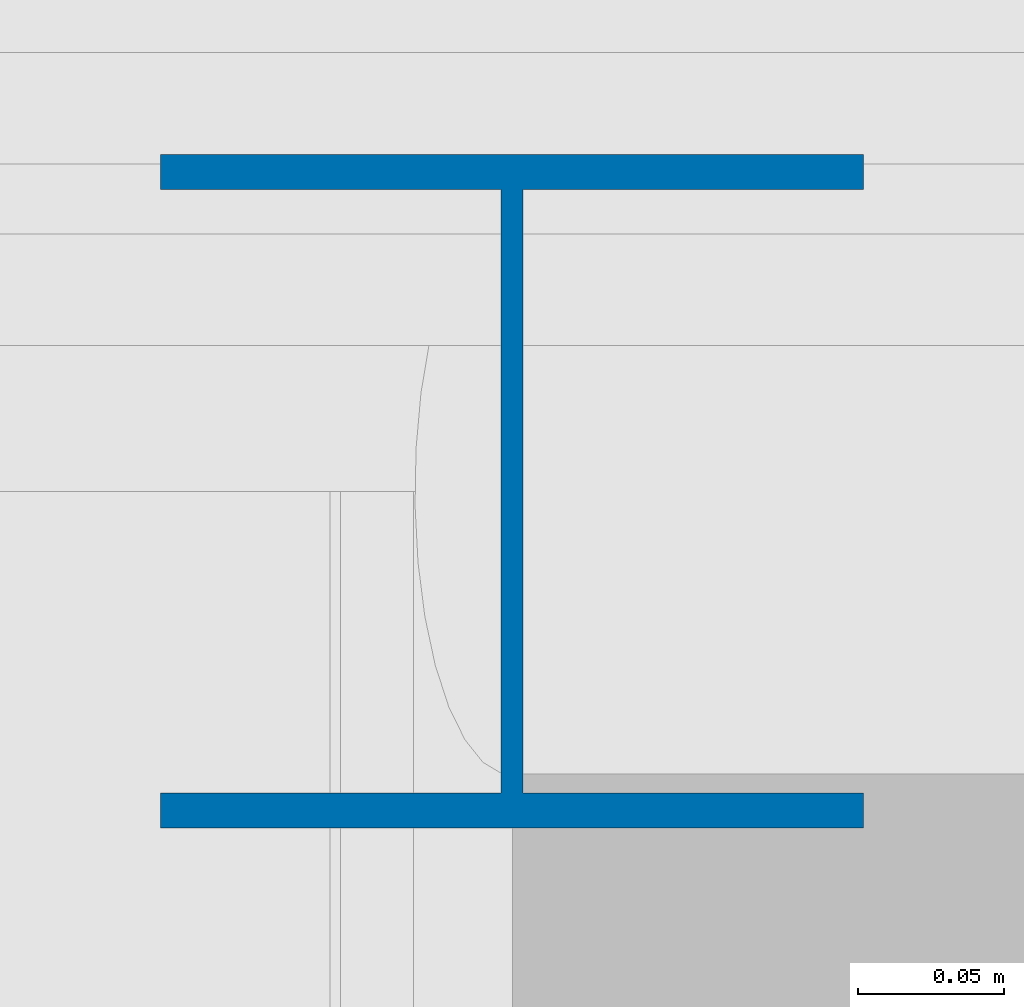
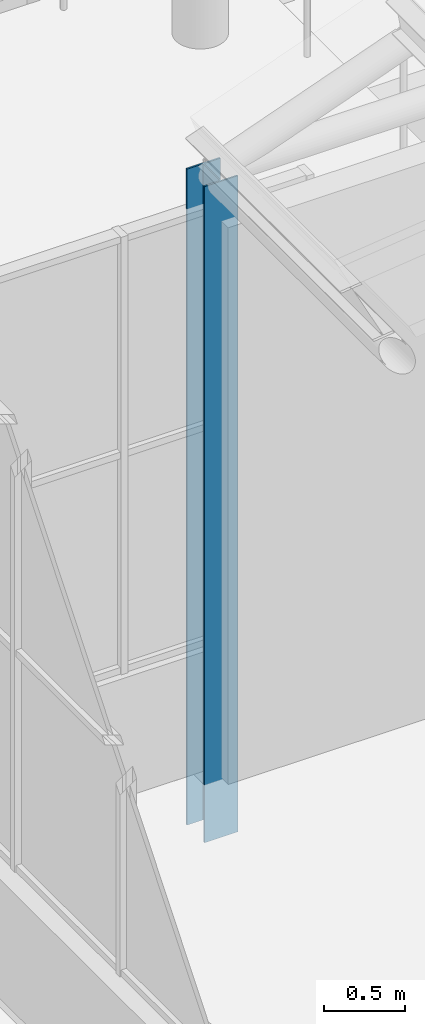
# One storey, part 33 of 222: 1 column.
"""IFC4 building model written with IfcOpenShell, lengths in metres."""

from ifc_helpers import new_model, si_unit, direction, frame, origin, origin_2d, place, context, subcontext, project, spatial, i_section, extrude, material, material_profile, profile_set, type_object, element, save


model = new_model("IFC4")

# Units and contexts
model_context = context("Model", 3, precision=1e-05, world=origin(), true_north=direction((0.0, 1.0)))
body_context = subcontext(model_context, "Body", "Model", "MODEL_VIEW")
ifc_project = project(units=[si_unit("LENGTHUNIT", "METRE"), si_unit("AREAUNIT", "SQUARE_METRE"), si_unit("VOLUMEUNIT", "CUBIC_METRE"), si_unit("PLANEANGLEUNIT", "RADIAN"), si_unit("MASSUNIT", "GRAM", prefix="KILO")], contexts=[model_context])

# Site, building, storey
site_placement = place(None, origin())
site = spatial("IfcSite", under=ifc_project, at=site_placement, CompositionType="ELEMENT")
building_placement = place(site_placement, origin())
building = spatial("IfcBuilding", under=site, at=building_placement, Name="Sava Quay Ferry Terminal", CompositionType="ELEMENT")
storey_placement = place(building_placement, origin())
storey = spatial("IfcBuildingStorey", under=building, at=storey_placement, Name="L00", CompositionType="ELEMENT", Elevation=0.0)

# Column
ifc_material = material(Name="Steel S355", Category="steel")
ifc_material_profile = material_profile(ifc_material, i_section(OverallWidth=0.239990234375, OverallDepth=0.22998046875, WebThickness=0.007568359375, FlangeThickness=0.011962890625, at=origin_2d()), Name="HE 240 A")
ifc_profile_set = profile_set([ifc_material_profile], Name="Steel S355")
column_type = type_object("IfcColumnType", Name="Column HE 240 A", PredefinedType="COLUMN", material=ifc_profile_set)
column_placement = place(storey_placement, frame((46.199951171875, 142.800048828125, -0.449951171875), z_axis=(0.0, 0.0, 1.0), x_axis=(1.0, 0.0, 0.0)))
element("IfcColumn", 1, at=column_placement, inside=storey, type_object=column_type, Name="Gallery post B1 142.8", PredefinedType="COLUMN", context=body_context, shape_type="SweptSolid", body=[
    extrude(i_section(OverallWidth=0.239990234375, OverallDepth=0.22998046875, WebThickness=0.007568359375, FlangeThickness=0.011962890625, at=origin_2d()), origin(), (0.0, 0.0, 1.0), 4.949951171875),
])

save(model, "model.ifc")
